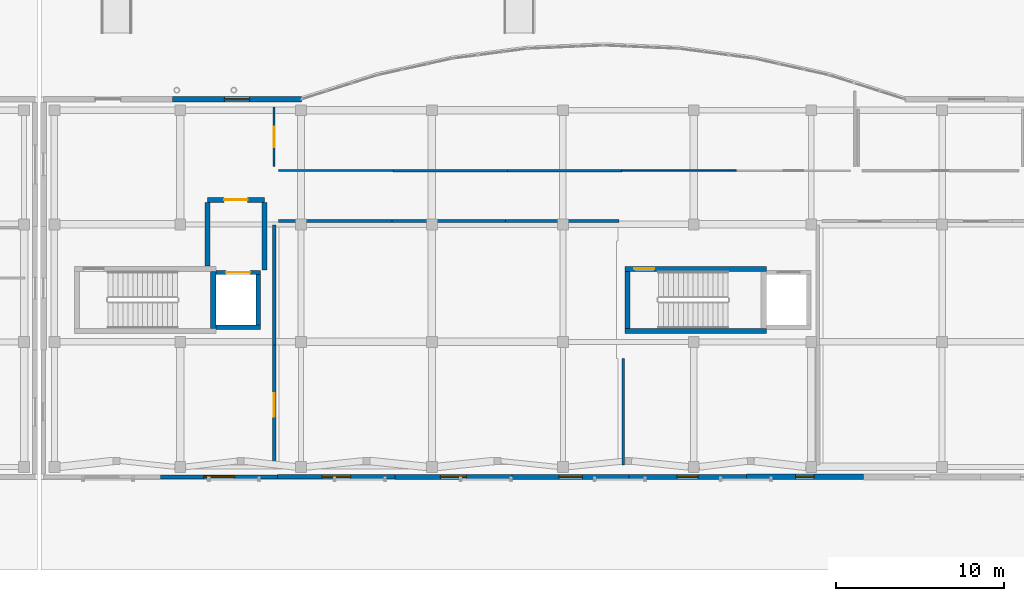
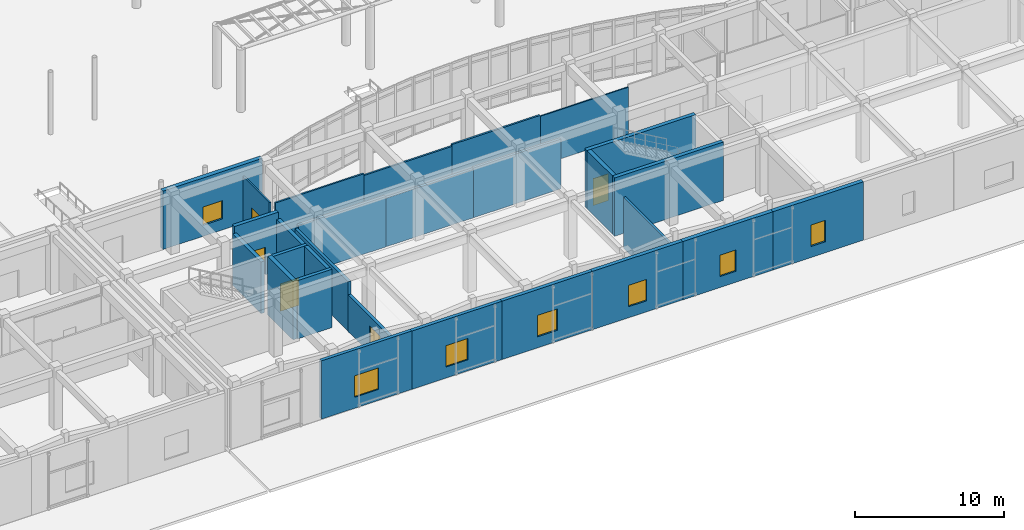
# One storey, part 98 of 121: 28 walls, 7 windows, 5 doors, 12 openings.
"""IFC4 building model written with IfcOpenShell, lengths in metres."""

import ifcopenshell
import ifcopenshell.guid

model = None  # the IFC model being written
_history = None  # IfcOwnerHistory: only IFC2X3 demands one
_inside = {}  # id of a spatial element -> (the spatial element, [elements in it])
_under = {}  # id of a project, library or spatial element -> (it, [spatial elements below it])
_declared = {}  # id of a project -> (the project, [libraries it declares])
_typed = {}  # id of a type object -> (the type object, [elements of that type])
_made_of = {}  # id of a material, layer set ... -> (it, [elements and type objects made of it])


def new_model(schema):
    """Start an empty IFC model of exactly this schema.

    Asked for "IFC4X3", IfcOpenShell would pick the latest addendum, in which some entities
    have other attributes; the version numbers below select the first issue.
    IFC2X3 requires an IfcOwnerHistory on every rooted entity: one is made here for all.
    """
    global model, _history
    if schema == "IFC4X3":
        model = ifcopenshell.file(schema_version=(4, 3, 0, 0))
    else:
        model = ifcopenshell.file(schema=schema)
    _inside.clear()
    _under.clear()
    _declared.clear()
    _typed.clear()
    _made_of.clear()
    _history = None
    if model.schema == "IFC2X3":
        org = make("IfcOrganization", Name="unknown")
        user = make(
            "IfcPersonAndOrganization",
            ThePerson=make("IfcPerson", FamilyName="unknown"),
            TheOrganization=org,
        )
        app = make(
            "IfcApplication",
            ApplicationDeveloper=org,
            Version="unknown",
            ApplicationFullName="unknown",
            ApplicationIdentifier="unknown",
        )
        _history = make(
            "IfcOwnerHistory",
            OwningUser=user,
            OwningApplication=app,
            ChangeAction="ADDED",
            CreationDate=0,
        )
    return model


def make(cls, **values):
    """One entity of the class cls with the attributes given. An attribute that is None is left unset."""
    return model.create_entity(
        cls, **{name: value for name, value in values.items() if value is not None}
    )


def rooted(cls, **values):
    """An entity with a GlobalId (a new one), such as an element, a storey or a relation."""
    return make(cls, GlobalId=ifcopenshell.guid.new(), OwnerHistory=_history, **values)


def si_unit(unit_type, name, prefix=None):
    """IfcSIUnit, for example si_unit("LENGTHUNIT", "METRE", prefix="MILLI")."""
    return make("IfcSIUnit", UnitType=unit_type, Prefix=prefix, Name=name)


def assignment(units):
    """IfcUnitAssignment: the units of a project."""
    return None if units is None else make("IfcUnitAssignment", Units=units)


def point(xyz):
    """IfcCartesianPoint."""
    return None if xyz is None else make("IfcCartesianPoint", Coordinates=xyz)


def direction(xyz):
    """IfcDirection."""
    return None if xyz is None else make("IfcDirection", DirectionRatios=xyz)


def frame(location, z_axis=None, x_axis=None):
    """IfcAxis2Placement3D, a coordinate frame: its origin and axes. An axis left out is left unset."""
    return make(
        "IfcAxis2Placement3D",
        Location=point(location),
        Axis=direction(z_axis),
        RefDirection=direction(x_axis),
    )


def frame_2d(location, x_axis=None):
    """IfcAxis2Placement2D, a coordinate frame in the plane: its origin and x axis."""
    return make(
        "IfcAxis2Placement2D", Location=point(location), RefDirection=direction(x_axis)
    )


def origin():
    """The frame at (0, 0, 0) with its axes left unset."""
    return frame((0.0, 0.0, 0.0))


def place(relative_to, where):
    """IfcLocalPlacement: puts the frame where relative to a parent placement (None: the world)."""
    return make(
        "IfcLocalPlacement", PlacementRelTo=relative_to, RelativePlacement=where
    )


def context(
    kind, dimensions, precision=None, world=None, true_north=None, identifier=None
):
    """IfcGeometricRepresentationContext, for example the 3D "Model" context."""
    return make(
        "IfcGeometricRepresentationContext",
        ContextIdentifier=identifier,
        ContextType=kind,
        CoordinateSpaceDimension=dimensions,
        Precision=precision,
        WorldCoordinateSystem=world,
        TrueNorth=true_north,
    )


def subcontext(parent, identifier, kind, view, scale=None):
    """IfcGeometricRepresentationSubContext, for example "Body" below "Model"."""
    return make(
        "IfcGeometricRepresentationSubContext",
        ContextIdentifier=identifier,
        ContextType=kind,
        ParentContext=parent,
        TargetScale=scale,
        TargetView=view,
    )


def project(units=None, contexts=None):
    """IfcProject with its units and contexts."""
    return rooted(
        "IfcProject",
        Name="project",
        RepresentationContexts=contexts,
        UnitsInContext=assignment(units),
    )


def spatial(cls, under=None, at=None, **own):
    """A site, building, storey or space (cls), placed at a placement, below another one or the project."""
    s = rooted(cls, ObjectPlacement=at, **own)
    if under is not None:
        _under.setdefault(under.id(), (under, []))[1].append(s)
    return s


def profile(cls, at=None, kind="AREA", **sizes):
    """A parametric profile (cls). Its sizes go by their IFC names, for example OverallWidth=200.0."""
    return make(cls, ProfileType=kind, Position=at, **sizes)


def rectangle(**sizes):
    """IfcRectangleProfileDef."""
    return profile("IfcRectangleProfileDef", **sizes)


def extrude(swept, where, along, depth):
    """IfcExtrudedAreaSolid: the profile swept, set in the frame where, extruded along a direction by depth."""
    return make(
        "IfcExtrudedAreaSolid",
        SweptArea=swept,
        Position=where,
        ExtrudedDirection=direction(along),
        Depth=depth,
    )


def shape(context_of_items, identifier, shape_type, items):
    """IfcShapeRepresentation: the items that make up one representation, for example the "Body"."""
    return make(
        "IfcShapeRepresentation",
        ContextOfItems=context_of_items,
        RepresentationIdentifier=identifier,
        RepresentationType=shape_type,
        Items=items,
    )


def material(Name=None, Category=None):
    """IfcMaterial."""
    return make("IfcMaterial", Name=Name, Category=Category)


def layer(
    of_material, thickness, ventilated=None, Name=None, Category=None, Priority=None
):
    """IfcMaterialLayer: one layer of a wall or slab, of a material (None: an air gap)."""
    return make(
        "IfcMaterialLayer",
        Material=of_material,
        LayerThickness=thickness,
        IsVentilated=ventilated,
        Name=Name,
        Category=Category,
        Priority=Priority,
    )


def layer_set(layers, Name=None):
    """IfcMaterialLayerSet."""
    return make("IfcMaterialLayerSet", MaterialLayers=layers, LayerSetName=Name)


def made_of(thing, what):
    """Note that an element or type object is made of a material, layer set ...; save() writes the relation."""
    if what is not None:
        _made_of.setdefault(what.id(), (what, []))[1].append(thing)
    return thing


def type_object(cls, material=None, **own):
    """A type object (cls), such as IfcWallType, which elements share."""
    return made_of(rooted(cls, **own), material)


def element(
    cls,
    number,
    at=None,
    inside=None,
    cuts=None,
    type_object=None,
    material=None,
    context=None,
    identifier="Body",
    shape_type=None,
    held_by="IfcProductDefinitionShape",
    body=None,
    shapes=None,
    **own,
):
    """One element of the class cls, such as IfcWall. Its Tag is "e" and its number.

    at: its placement. inside: the storey or other place that contains it. cuts: it is an
    opening in that element (IfcRelVoidsElement). A single representation is given by context,
    identifier, shape_type and body (its items); several are given by shapes. held_by: the class
    of the entity that holds the representations. save() writes the other relations.
    """
    e = rooted(cls, Tag="e%d" % number, ObjectPlacement=at, **own)
    if body is not None:
        shapes = [shape(context, identifier, shape_type, body)]
    if shapes is not None:
        e.Representation = make(held_by, Representations=shapes)
    if inside is not None:
        _inside.setdefault(inside.id(), (inside, []))[1].append(e)
    if cuts is not None:
        rooted(
            "IfcRelVoidsElement", RelatingBuildingElement=cuts, RelatedOpeningElement=e
        )
    if type_object is not None:
        _typed.setdefault(type_object.id(), (type_object, []))[1].append(e)
    return made_of(e, material)


def fill(opening, filler):
    """IfcRelFillsElement: the door or window that sits in an opening."""
    return rooted(
        "IfcRelFillsElement",
        RelatingOpeningElement=opening,
        RelatedBuildingElement=filler,
    )


def aggregate(whole, parts):
    """IfcRelAggregates: a whole, such as a stair, and the parts it consists of."""
    return rooted("IfcRelAggregates", RelatingObject=whole, RelatedObjects=parts)


def save(model, path):
    """Write the relations noted so far, then the file.

    IfcRelAggregates (storeys below a building ...), IfcRelContainedInSpatialStructure (elements
    in a storey), IfcRelDefinesByType, IfcRelAssociatesMaterial and IfcRelDeclares: one each for
    every whole, place, type object, material and project.
    """
    for whole, parts in _under.values():
        aggregate(whole, parts)
    for where, things in _inside.values():
        rooted(
            "IfcRelContainedInSpatialStructure",
            RelatedElements=things,
            RelatingStructure=where,
        )
    for kind, things in _typed.values():
        rooted("IfcRelDefinesByType", RelatedObjects=things, RelatingType=kind)
    for what, things in _made_of.values():
        rooted("IfcRelAssociatesMaterial", RelatedObjects=things, RelatingMaterial=what)
    for by, libraries in _declared.values():
        rooted("IfcRelDeclares", RelatingContext=by, RelatedDefinitions=libraries)
    model.write(path)


model = new_model("IFC4")

# Units and contexts
model_context = context("Model", 3, precision=1e-05, world=origin(), true_north=direction((0.0, 1.0)))
body_context = subcontext(model_context, "Body", "Model", "MODEL_VIEW")
ifc_project = project(units=[si_unit("LENGTHUNIT", "METRE"), si_unit("AREAUNIT", "SQUARE_METRE"), si_unit("VOLUMEUNIT", "CUBIC_METRE"), si_unit("PLANEANGLEUNIT", "RADIAN"), si_unit("MASSUNIT", "GRAM", prefix="KILO")], contexts=[model_context])

# Site, building, storey
site_placement = place(None, origin())
site = spatial("IfcSite", under=ifc_project, at=site_placement, CompositionType="ELEMENT")
building_placement = place(site_placement, origin())
building = spatial("IfcBuilding", under=site, at=building_placement, Name="Valcora Specialist Clinic", CompositionType="ELEMENT")
storey_placement = place(building_placement, origin())
storey = spatial("IfcBuildingStorey", under=building, at=storey_placement, Name="L00", CompositionType="ELEMENT", Elevation=0.0)

# Wall, opening, door
ifc_material_1 = material(Name="Concrete C40/50", Category="concrete")
ifc_layer_1 = layer(ifc_material_1, 0.284912109375)
ifc_layer_set_1 = layer_set([ifc_layer_1], Name="Concrete C40/50")
wall_type_1 = type_object("IfcWallType", Name="TY-WL-CR285", PredefinedType="SHEAR", material=ifc_layer_set_1)
wall_1_placement = place(storey_placement, frame((63.419921875, 16.659912109375, 0.0), z_axis=(0.0, 0.0, 1.0), x_axis=(1.0, 0.0, 0.0)))
wall_1 = element("IfcWall", 1, at=wall_1_placement, inside=storey, type_object=wall_type_1, Name="Firefighting lobby front wall WL-FFL-LF-07-L00-F", PredefinedType="SHEAR", context=body_context, shape_type="SweptSolid", body=[
    extrude(rectangle(XDim=3.400146484375, YDim=0.284912109375, at=frame_2d((1.7001953125, 0.0))), origin(), (0.0, 0.0, 1.0), 4.77001953125),
])
opening_1_placement = place(wall_1_placement, frame((1.0, 0.0, 0.0)))
opening_1 = element("IfcOpeningElement", 2, at=opening_1_placement, cuts=wall_1, Name="Opening DR-FF-140", PredefinedType="OPENING", context=body_context, shape_type="SweptSolid", body=[
    extrude(rectangle(XDim=1.39990234375, YDim=2.25, at=frame_2d((0.699951171875, 1.125))), frame((0.0, 0.15234375, 0.0), z_axis=(0.0, -1.0, 0.0), x_axis=(1.0, 0.0, 0.0)), (0.0, 0.0, 1.0), 0.304931640625),
])
ifc_material_2 = material(Name="Galvanized Hollow Metal Door Steel ASTM A653", Category="steel")
door_type_1 = type_object("IfcDoorType", Name="TY-DR-FF140", OperationType="NOTDEFINED", PredefinedType="DOOR", material=ifc_material_2)
door_1_placement = place(opening_1_placement, origin())
door_1 = element("IfcDoor", 3, at=door_1_placement, inside=storey, type_object=door_type_1, Name="Firefighting lobby fire door LF-07 L00", OperationType="SINGLE_SWING_RIGHT", OverallHeight=2.25, OverallWidth=1.39990234375, PredefinedType="DOOR", context=body_context, shape_type="SweptSolid", body=[
    extrude(rectangle(XDim=1.39990234375, YDim=2.25, at=frame_2d((0.699951171875, 1.125))), frame((0.0, 0.02490234375, 0.0), z_axis=(0.0, -1.0, 0.0), x_axis=(1.0, 0.0, 0.0)), (0.0, 0.0, 1.0), 0.050048828125),
])
fill(opening_1, door_1)

# Walls
wall_2_placement = place(storey_placement, frame((63.419921875, 12.719970703125, 0.0), z_axis=(0.0, 0.0, 1.0), x_axis=(0.0, 1.0, 0.0)))
element("IfcWall", 4, at=wall_2_placement, inside=storey, type_object=wall_type_1, Name="Firefighting lobby west wall", PredefinedType="SHEAR", context=body_context, shape_type="SweptSolid", body=[
    extrude(rectangle(XDim=3.7900390625, YDim=0.284912109375, at=frame_2d((1.89501953125, 0.0))), origin(), (0.0, 0.0, 1.0), 4.219970703125),
])
wall_3_placement = place(storey_placement, frame((66.820068359375, 12.47998046875, 0.0), z_axis=(0.0, 0.0, 1.0), x_axis=(0.0, 1.0, 0.0)))
element("IfcWall", 5, at=wall_3_placement, inside=storey, type_object=wall_type_1, Name="Firefighting lobby east wall", PredefinedType="SHEAR", context=body_context, shape_type="SweptSolid", body=[
    extrude(rectangle(XDim=4.030029296875, YDim=0.284912109375, at=frame_2d((2.01513671875, 0.0))), origin(), (0.0, 0.0, 1.0), 4.219970703125),
])
ifc_layer_2 = layer(ifc_material_1, 0.300048828125)
ifc_layer_set_2 = layer_set([ifc_layer_2], Name="Concrete C40/50")
wall_type_2 = type_object("IfcWallType", Name="TY-WL-CR300", PredefinedType="SHEAR", material=ifc_layer_set_2)
wall_4_placement = place(storey_placement, frame((88.300048828125, 8.85009765625, 0.0), z_axis=(0.0, 0.0, 1.0), x_axis=(1.0, 0.0, 0.0)))
element("IfcWall", 6, at=wall_4_placement, inside=storey, type_object=wall_type_2, Name="Core shear wall WL-CR-C-V6B-L00-S", PredefinedType="SHEAR", context=body_context, shape_type="SweptSolid", body=[
    extrude(rectangle(XDim=8.419921875, YDim=0.300048828125, at=frame_2d((4.2099609375, 0.0))), origin(), (0.0, 0.0, 1.0), 4.77001953125),
])

# Wall, opening, door
wall_5_placement = place(storey_placement, frame((88.300048828125, 12.550048828125, 0.0), z_axis=(0.0, 0.0, 1.0), x_axis=(1.0, 0.0, 0.0)))
wall_5 = element("IfcWall", 7, at=wall_5_placement, inside=storey, type_object=wall_type_2, Name="Core shear wall WL-CR-C-V6B-L00-N", PredefinedType="SHEAR", context=body_context, shape_type="SweptSolid", body=[
    extrude(rectangle(XDim=8.419921875, YDim=0.300048828125, at=frame_2d((4.2099609375, 0.0))), origin(), (0.0, 0.0, 1.0), 4.77001953125),
])
opening_2_placement = place(wall_5_placement, frame((0.550048828125, 0.0, 0.0)))
opening_2 = element("IfcOpeningElement", 8, at=opening_2_placement, cuts=wall_5, Name="Opening DR-FD-120", PredefinedType="OPENING", context=body_context, shape_type="SweptSolid", body=[
    extrude(rectangle(XDim=1.199951171875, YDim=2.199951171875, at=frame_2d((0.60009765625, 1.10009765625))), frame((0.0, 0.159912109375, 0.0), z_axis=(0.0, -1.0, 0.0), x_axis=(1.0, 0.0, 0.0)), (0.0, 0.0, 1.0), 0.320068359375),
])
door_type_2 = type_object("IfcDoorType", Name="TY-DR-ST120", OperationType="NOTDEFINED", PredefinedType="DOOR", material=ifc_material_2)
door_2_placement = place(opening_2_placement, origin())
door_2 = element("IfcDoor", 9, at=door_2_placement, inside=storey, type_object=door_type_2, Name="Exit stair fire door C-V6B L00", OperationType="SINGLE_SWING_RIGHT", OverallHeight=2.199951171875, OverallWidth=1.199951171875, PredefinedType="DOOR", context=body_context, shape_type="SweptSolid", body=[
    extrude(rectangle(XDim=1.199951171875, YDim=2.199951171875, at=frame_2d((0.60009765625, 1.10009765625))), frame((0.0, 0.02490234375, 0.0), z_axis=(0.0, -1.0, 0.0), x_axis=(1.0, 0.0, 0.0)), (0.0, 0.0, 1.0), 0.050048828125),
])
fill(opening_2, door_2)

# Walls
wall_6_placement = place(storey_placement, frame((88.449951171875, 9.001953125, 0.0), z_axis=(0.0, 0.0, 1.0), x_axis=(0.0, 1.0, 0.0)))
element("IfcWall", 10, at=wall_6_placement, inside=storey, type_object=wall_type_2, Name="Core shear wall WL-CR-C-V6B-L00-W", PredefinedType="SHEAR", context=body_context, shape_type="SweptSolid", body=[
    extrude(rectangle(XDim=3.39599609375, YDim=0.300048828125, at=frame_2d((1.697998046875, 0.0))), origin(), (0.0, 0.0, 1.0), 4.77001953125),
])
ifc_layer_3 = layer(ifc_material_1, 0.320068359375)
ifc_layer_set_3 = layer_set([ifc_layer_3], Name="Concrete C40/50")
wall_type_3 = type_object("IfcWallType", Name="TY-WL-CR320", PredefinedType="SHEAR", material=ifc_layer_set_3)
wall_7_placement = place(storey_placement, frame((63.760009765625, 9.001953125, 0.0), z_axis=(0.0, 0.0, 1.0), x_axis=(0.0, 1.0, 0.0)))
element("IfcWall", 11, at=wall_7_placement, inside=storey, type_object=wall_type_3, Name="Core shear wall WL-CR-C-V6A-L00-E", PredefinedType="SHEAR", context=body_context, shape_type="SweptSolid", body=[
    extrude(rectangle(XDim=3.39599609375, YDim=0.320068359375, at=frame_2d((1.697998046875, 0.0))), origin(), (0.0, 0.0, 1.0), 4.77001953125),
])

# Wall, opening, window
ifc_material_3 = material(Name="Extruded Jalisco Clay Brick Masonry", Category="masonry")
ifc_layer_4 = layer(ifc_material_3, 0.25)
ifc_layer_set_4 = layer_set([ifc_layer_4], Name="Extruded Jalisco Clay Brick Masonry")
wall_type_4 = type_object("IfcWallType", Name="TY-WL-EW250", PredefinedType="SOLIDWALL", material=ifc_layer_set_4)
wall_8_placement = place(storey_placement, frame((67.610107421875, 0.14990234375, 0.0), z_axis=(0.0, 0.0, 1.0), x_axis=(-1.0, 0.0, 0.0)))
wall_8 = element("IfcWall", 12, at=wall_8_placement, inside=storey, type_object=wall_type_4, Name="Exterior wall WL-EXT-L00-0319", PredefinedType="SOLIDWALL", context=body_context, shape_type="SweptSolid", body=[
    extrude(rectangle(XDim=6.980224609375, YDim=0.25, at=frame_2d((3.490234375, 0.0))), origin(), (0.0, 0.0, 1.0), 4.77001953125),
])
opening_3_placement = place(wall_8_placement, frame((2.56494140625, 0.0, 0.89990234375)))
opening_3 = element("IfcOpeningElement", 13, at=opening_3_placement, cuts=wall_8, Name="Opening WN-17", PredefinedType="OPENING", context=body_context, shape_type="SweptSolid", body=[
    extrude(rectangle(XDim=1.85009765625, YDim=1.75, at=frame_2d((0.925048828125, 0.875))), frame((0.0, 0.135009765625, 0.0), z_axis=(0.0, -1.0, 0.0), x_axis=(1.0, 0.0, 0.0)), (0.0, 0.0, 1.0), 0.27001953125),
])
ifc_material_4 = material(Name="Low-E Laminated Insulating Glass", Category="glass")
window_type_1 = type_object("IfcWindowType", Name="TY-WN-17", PartitioningType="SINGLE_PANEL", PredefinedType="WINDOW", material=ifc_material_4)
window_1_placement = place(opening_3_placement, origin())
window_1 = element("IfcWindow", 14, at=window_1_placement, inside=storey, type_object=window_type_1, Name="Facade window WN-L00-0269", OverallHeight=1.75, OverallWidth=1.85009765625, PartitioningType="SINGLE_PANEL", PredefinedType="WINDOW", context=body_context, shape_type="SweptSolid", body=[
    extrude(rectangle(XDim=1.85009765625, YDim=1.75, at=frame_2d((0.925048828125, 0.875))), frame((0.0, 0.030029296875, 0.0), z_axis=(0.0, -1.0, 0.0), x_axis=(1.0, 0.0, 0.0)), (0.0, 0.0, 1.0), 0.06005859375),
])
fill(opening_3, window_1)

ifc_layer_5 = layer(ifc_material_3, 0.264892578125)
ifc_layer_set_5 = layer_set([ifc_layer_5], Name="Extruded Jalisco Clay Brick Masonry")
wall_type_5 = type_object("IfcWallType", Name="TY-WL-EW265", PredefinedType="SOLIDWALL", material=ifc_layer_set_5)
wall_9_placement = place(storey_placement, frame((74.590087890625, 0.14990234375, 0.0), z_axis=(0.0, 0.0, 1.0), x_axis=(-1.0, 0.0, 0.0)))
wall_9 = element("IfcWall", 15, at=wall_9_placement, inside=storey, type_object=wall_type_5, Name="Exterior wall WL-EXT-L00-0318", PredefinedType="SOLIDWALL", context=body_context, shape_type="SweptSolid", body=[
    extrude(rectangle(XDim=6.97998046875, YDim=0.264892578125, at=frame_2d((3.489990234375, 0.0))), origin(), (0.0, 0.0, 1.0), 4.77001953125),
])
opening_4_placement = place(wall_9_placement, frame((2.639892578125, 0.0, 0.89990234375)))
opening_4 = element("IfcOpeningElement", 16, at=opening_4_placement, cuts=wall_9, Name="Opening WN-16", PredefinedType="OPENING", context=body_context, shape_type="SweptSolid", body=[
    extrude(rectangle(XDim=1.699951171875, YDim=1.75, at=frame_2d((0.85009765625, 0.875))), frame((0.0, 0.142333984375, 0.0), z_axis=(0.0, -1.0, 0.0), x_axis=(1.0, 0.0, 0.0)), (0.0, 0.0, 1.0), 0.284912109375),
])
window_type_2 = type_object("IfcWindowType", Name="TY-WN-16", PartitioningType="SINGLE_PANEL", PredefinedType="WINDOW", material=ifc_material_4)
window_2_placement = place(opening_4_placement, origin())
window_2 = element("IfcWindow", 17, at=window_2_placement, inside=storey, type_object=window_type_2, Name="Facade window WN-L00-0268", OverallHeight=1.75, OverallWidth=1.699951171875, PartitioningType="SINGLE_PANEL", PredefinedType="WINDOW", context=body_context, shape_type="SweptSolid", body=[
    extrude(rectangle(XDim=1.699951171875, YDim=1.75, at=frame_2d((0.85009765625, 0.875))), frame((0.0, 0.030029296875, 0.0), z_axis=(0.0, -1.0, 0.0), x_axis=(1.0, 0.0, 0.0)), (0.0, 0.0, 1.0), 0.06005859375),
])
fill(opening_4, window_2)

ifc_layer_6 = layer(ifc_material_3, 0.280029296875)
ifc_layer_set_6 = layer_set([ifc_layer_6], Name="Extruded Jalisco Clay Brick Masonry")
wall_type_6 = type_object("IfcWallType", Name="TY-WL-EW280", PredefinedType="SOLIDWALL", material=ifc_layer_set_6)
wall_10_placement = place(storey_placement, frame((81.570068359375, 0.14990234375, 0.0), z_axis=(0.0, 0.0, 1.0), x_axis=(-1.0, 0.0, 0.0)))
wall_10 = element("IfcWall", 18, at=wall_10_placement, inside=storey, type_object=wall_type_6, Name="Exterior wall WL-EXT-L00-0317", PredefinedType="SOLIDWALL", context=body_context, shape_type="SweptSolid", body=[
    extrude(rectangle(XDim=6.97998046875, YDim=0.280029296875, at=frame_2d((3.489990234375, 0.0))), origin(), (0.0, 0.0, 1.0), 4.77001953125),
])
opening_5_placement = place(wall_10_placement, frame((2.715087890625, 0.0, 0.89990234375)))
opening_5 = element("IfcOpeningElement", 19, at=opening_5_placement, cuts=wall_10, Name="Opening WN-15", PredefinedType="OPENING", context=body_context, shape_type="SweptSolid", body=[
    extrude(rectangle(XDim=1.550048828125, YDim=1.75, at=frame_2d((0.77490234375, 0.875))), frame((0.0, 0.14990234375, 0.0), z_axis=(0.0, -1.0, 0.0), x_axis=(1.0, 0.0, 0.0)), (0.0, 0.0, 1.0), 0.300048828125),
])
window_type_3 = type_object("IfcWindowType", Name="TY-WN-15", PartitioningType="SINGLE_PANEL", PredefinedType="WINDOW", material=ifc_material_4)
window_3_placement = place(opening_5_placement, origin())
window_3 = element("IfcWindow", 20, at=window_3_placement, inside=storey, type_object=window_type_3, Name="Facade window WN-L00-0267", OverallHeight=1.75, OverallWidth=1.550048828125, PartitioningType="SINGLE_PANEL", PredefinedType="WINDOW", context=body_context, shape_type="SweptSolid", body=[
    extrude(rectangle(XDim=1.550048828125, YDim=1.75, at=frame_2d((0.77490234375, 0.875))), frame((0.0, 0.030029296875, 0.0), z_axis=(0.0, -1.0, 0.0), x_axis=(1.0, 0.0, 0.0)), (0.0, 0.0, 1.0), 0.06005859375),
])
fill(opening_5, window_3)

ifc_layer_7 = layer(ifc_material_3, 0.294921875)
ifc_layer_set_7 = layer_set([ifc_layer_7], Name="Extruded Jalisco Clay Brick Masonry")
wall_type_7 = type_object("IfcWallType", Name="TY-WL-EW295", PredefinedType="SOLIDWALL", material=ifc_layer_set_7)
wall_11_placement = place(storey_placement, frame((88.550048828125, 0.14990234375, 0.0), z_axis=(0.0, 0.0, 1.0), x_axis=(-1.0, 0.0, 0.0)))
wall_11 = element("IfcWall", 21, at=wall_11_placement, inside=storey, type_object=wall_type_7, Name="Exterior wall WL-EXT-L00-0316", PredefinedType="SOLIDWALL", context=body_context, shape_type="SweptSolid", body=[
    extrude(rectangle(XDim=6.97998046875, YDim=0.294921875, at=frame_2d((3.489990234375, 0.0))), origin(), (0.0, 0.0, 1.0), 4.77001953125),
])
opening_6_placement = place(wall_11_placement, frame((2.7900390625, 0.0, 0.89990234375)))
opening_6 = element("IfcOpeningElement", 22, at=opening_6_placement, cuts=wall_11, Name="Opening WN-14", PredefinedType="OPENING", context=body_context, shape_type="SweptSolid", body=[
    extrude(rectangle(XDim=1.39990234375, YDim=1.75, at=frame_2d((0.699951171875, 0.875))), frame((0.0, 0.157470703125, 0.0), z_axis=(0.0, -1.0, 0.0), x_axis=(1.0, 0.0, 0.0)), (0.0, 0.0, 1.0), 0.31494140625),
])
window_type_4 = type_object("IfcWindowType", Name="TY-WN-14", PartitioningType="SINGLE_PANEL", PredefinedType="WINDOW", material=ifc_material_4)
window_4_placement = place(opening_6_placement, origin())
window_4 = element("IfcWindow", 23, at=window_4_placement, inside=storey, type_object=window_type_4, Name="Facade window WN-L00-0266", OverallHeight=1.75, OverallWidth=1.39990234375, PartitioningType="SINGLE_PANEL", PredefinedType="WINDOW", context=body_context, shape_type="SweptSolid", body=[
    extrude(rectangle(XDim=1.39990234375, YDim=1.75, at=frame_2d((0.699951171875, 0.875))), frame((0.0, 0.030029296875, 0.0), z_axis=(0.0, -1.0, 0.0), x_axis=(1.0, 0.0, 0.0)), (0.0, 0.0, 1.0), 0.06005859375),
])
fill(opening_6, window_4)

ifc_layer_8 = layer(ifc_material_3, 0.31005859375)
ifc_layer_set_8 = layer_set([ifc_layer_8], Name="Extruded Jalisco Clay Brick Masonry")
wall_type_8 = type_object("IfcWallType", Name="TY-WL-EW310", PredefinedType="SOLIDWALL", material=ifc_layer_set_8)
wall_12_placement = place(storey_placement, frame((95.530029296875, 0.14990234375, 0.0), z_axis=(0.0, 0.0, 1.0), x_axis=(-1.0, 0.0, 0.0)))
wall_12 = element("IfcWall", 24, at=wall_12_placement, inside=storey, type_object=wall_type_8, Name="Exterior wall WL-EXT-L00-0315", PredefinedType="SOLIDWALL", context=body_context, shape_type="SweptSolid", body=[
    extrude(rectangle(XDim=6.97998046875, YDim=0.31005859375, at=frame_2d((3.489990234375, 0.0))), origin(), (0.0, 0.0, 1.0), 4.77001953125),
])
opening_7_placement = place(wall_12_placement, frame((2.864990234375, 0.0, 0.89990234375)))
opening_7 = element("IfcOpeningElement", 25, at=opening_7_placement, cuts=wall_12, Name="Opening WN-13", PredefinedType="OPENING", context=body_context, shape_type="SweptSolid", body=[
    extrude(rectangle(XDim=1.25, YDim=1.75, at=frame_2d((0.625, 0.875))), frame((0.0, 0.1650390625, 0.0), z_axis=(0.0, -1.0, 0.0), x_axis=(1.0, 0.0, 0.0)), (0.0, 0.0, 1.0), 0.330078125),
])
window_type_5 = type_object("IfcWindowType", Name="TY-WN-13", PartitioningType="SINGLE_PANEL", PredefinedType="WINDOW", material=ifc_material_4)
window_5_placement = place(opening_7_placement, origin())
window_5 = element("IfcWindow", 26, at=window_5_placement, inside=storey, type_object=window_type_5, Name="Facade window WN-L00-0265", OverallHeight=1.75, OverallWidth=1.25, PartitioningType="SINGLE_PANEL", PredefinedType="WINDOW", context=body_context, shape_type="SweptSolid", body=[
    extrude(rectangle(XDim=1.25, YDim=1.75, at=frame_2d((0.625, 0.875))), frame((0.0, 0.030029296875, 0.0), z_axis=(0.0, -1.0, 0.0), x_axis=(1.0, 0.0, 0.0)), (0.0, 0.0, 1.0), 0.06005859375),
])
fill(opening_7, window_5)

ifc_layer_9 = layer(ifc_material_3, 0.324951171875)
ifc_layer_set_9 = layer_set([ifc_layer_9], Name="Extruded Jalisco Clay Brick Masonry")
wall_type_9 = type_object("IfcWallType", Name="TY-WL-EW325", PredefinedType="SOLIDWALL", material=ifc_layer_set_9)
wall_13_placement = place(storey_placement, frame((61.336669921875, 22.64990234375, 0.0), z_axis=(0.0, 0.0, 1.0), x_axis=(1.0, 0.0, 0.0)))
wall_13 = element("IfcWall", 27, at=wall_13_placement, inside=storey, type_object=wall_type_9, Name="Exterior wall WL-EXT-L00-0304", PredefinedType="SOLIDWALL", context=body_context, shape_type="SweptSolid", body=[
    extrude(rectangle(XDim=7.6865234375, YDim=0.324951171875, at=frame_2d((3.84326171875, 0.0))), origin(), (0.0, 0.0, 1.0), 4.77001953125),
])
opening_8_placement = place(wall_13_placement, frame((3.093017578125, 0.0, 0.89990234375)))
opening_8 = element("IfcOpeningElement", 28, at=opening_8_placement, cuts=wall_13, Name="Opening WN-05", PredefinedType="OPENING", context=body_context, shape_type="SweptSolid", body=[
    extrude(rectangle(XDim=1.5, YDim=1.5, at=frame_2d((0.75, 0.75))), frame((0.0, 0.17236328125, 0.0), z_axis=(0.0, -1.0, 0.0), x_axis=(1.0, 0.0, 0.0)), (0.0, 0.0, 1.0), 0.344970703125),
])
window_type_6 = type_object("IfcWindowType", Name="TY-WN-05", PartitioningType="SINGLE_PANEL", PredefinedType="WINDOW", material=ifc_material_4)
window_6_placement = place(opening_8_placement, origin())
window_6 = element("IfcWindow", 29, at=window_6_placement, inside=storey, type_object=window_type_6, Name="Facade window WN-L00-0257", OverallHeight=1.5, OverallWidth=1.5, PartitioningType="SINGLE_PANEL", PredefinedType="WINDOW", context=body_context, shape_type="SweptSolid", body=[
    extrude(rectangle(XDim=1.5, YDim=1.5, at=frame_2d((0.75, 0.75))), frame((0.0, 0.030029296875, 0.0), z_axis=(0.0, -1.0, 0.0), x_axis=(1.0, 0.0, 0.0)), (0.0, 0.0, 1.0), 0.06005859375),
])
fill(opening_8, window_6)

wall_14_placement = place(storey_placement, frame((102.510009765625, 0.14990234375, 0.0), z_axis=(0.0, 0.0, 1.0), x_axis=(-1.0, 0.0, 0.0)))
wall_14 = element("IfcWall", 30, at=wall_14_placement, inside=storey, type_object=wall_type_9, Name="Exterior wall WL-EXT-L00-0314", PredefinedType="SOLIDWALL", context=body_context, shape_type="SweptSolid", body=[
    extrude(rectangle(XDim=6.97998046875, YDim=0.324951171875, at=frame_2d((3.489990234375, 0.0))), origin(), (0.0, 0.0, 1.0), 4.77001953125),
])
opening_9_placement = place(wall_14_placement, frame((2.93994140625, 0.0, 0.89990234375)))
opening_9 = element("IfcOpeningElement", 31, at=opening_9_placement, cuts=wall_14, Name="Opening WN-12", PredefinedType="OPENING", context=body_context, shape_type="SweptSolid", body=[
    extrude(rectangle(XDim=1.10009765625, YDim=1.75, at=frame_2d((0.550048828125, 0.875))), frame((0.0, 0.17236328125, 0.0), z_axis=(0.0, -1.0, 0.0), x_axis=(1.0, 0.0, 0.0)), (0.0, 0.0, 1.0), 0.344970703125),
])
window_type_7 = type_object("IfcWindowType", Name="TY-WN-12", PartitioningType="SINGLE_PANEL", PredefinedType="WINDOW", material=ifc_material_4)
window_7_placement = place(opening_9_placement, origin())
window_7 = element("IfcWindow", 32, at=window_7_placement, inside=storey, type_object=window_type_7, Name="Facade window WN-L00-0264", OverallHeight=1.75, OverallWidth=1.10009765625, PartitioningType="SINGLE_PANEL", PredefinedType="WINDOW", context=body_context, shape_type="SweptSolid", body=[
    extrude(rectangle(XDim=1.10009765625, YDim=1.75, at=frame_2d((0.550048828125, 0.875))), frame((0.0, 0.030029296875, 0.0), z_axis=(0.0, -1.0, 0.0), x_axis=(1.0, 0.0, 0.0)), (0.0, 0.0, 1.0), 0.06005859375),
])
fill(opening_9, window_7)

# Wall
ifc_material_5 = material(Name="Gypsum Board Partition Assembly")
ifc_layer_10 = layer(ifc_material_5, 0.094970703125)
ifc_layer_set_10 = layer_set([ifc_layer_10], Name="Gypsum Board Partition Assembly")
wall_type_10 = type_object("IfcWallType", Name="TY-WL-PT095", PredefinedType="PARTITIONING", material=ifc_layer_set_10)
wall_15_placement = place(storey_placement, frame((94.929931640625, 18.39990234375, 0.0), z_axis=(0.0, 0.0, 1.0), x_axis=(-1.0, 0.0, 0.0)))
element("IfcWall", 33, at=wall_15_placement, inside=storey, type_object=wall_type_10, Name="Interior partition WL-INT-L00-0137", PredefinedType="PARTITIONING", context=body_context, shape_type="SweptSolid", body=[
    extrude(rectangle(XDim=6.81982421875, YDim=0.094970703125, at=frame_2d((3.409912109375, 0.0))), origin(), (0.0, 0.0, 1.0), 4.02001953125),
])

# Wall, opening, door
ifc_layer_11 = layer(ifc_material_5, 0.125)
ifc_layer_set_11 = layer_set([ifc_layer_11], Name="Gypsum Board Partition Assembly")
wall_type_11 = type_object("IfcWallType", Name="TY-WL-PT125", PredefinedType="PARTITIONING", material=ifc_layer_set_11)
wall_16_placement = place(storey_placement, frame((67.39990234375, 18.64990234375, 0.0), z_axis=(0.0, 0.0, 1.0), x_axis=(0.0, 1.0, 0.0)))
wall_16 = element("IfcWall", 34, at=wall_16_placement, inside=storey, type_object=wall_type_11, Name="Interior partition WL-INT-L00-0134", PredefinedType="PARTITIONING", context=body_context, shape_type="SweptSolid", body=[
    extrude(rectangle(XDim=3.5400390625, YDim=0.125, at=frame_2d((1.77001953125, 0.0))), origin(), (0.0, 0.0, 1.0), 4.070068359375),
])
opening_10_placement = place(wall_16_placement, frame((1.159912109375, 0.0, 0.0)))
opening_10 = element("IfcOpeningElement", 35, at=opening_10_placement, cuts=wall_16, Name="Opening DR-CN-122", PredefinedType="OPENING", context=body_context, shape_type="SweptSolid", body=[
    extrude(rectangle(XDim=1.219970703125, YDim=2.199951171875, at=frame_2d((0.60986328125, 1.10009765625))), frame((0.0, 0.072509765625, 0.0), z_axis=(0.0, -1.0, 0.0), x_axis=(1.0, 0.0, 0.0)), (0.0, 0.0, 1.0), 0.14501953125),
])
ifc_material_6 = material(Name="Glulam Conifer Class 24F", Category="wood")
door_type_3 = type_object("IfcDoorType", Name="TY-DR-CN122", OperationType="NOTDEFINED", PredefinedType="DOOR", material=ifc_material_6)
door_3_placement = place(opening_10_placement, origin())
door_3 = element("IfcDoor", 36, at=door_3_placement, inside=storey, type_object=door_type_3, Name="Interior door DR-INT-L00-0036", OperationType="SINGLE_SWING_RIGHT", OverallHeight=2.199951171875, OverallWidth=1.219970703125, PredefinedType="DOOR", context=body_context, shape_type="SweptSolid", body=[
    extrude(rectangle(XDim=1.219970703125, YDim=2.199951171875, at=frame_2d((0.60986328125, 1.10009765625))), frame((0.0, 0.02490234375, 0.0), z_axis=(0.0, -1.0, 0.0), x_axis=(1.0, 0.0, 0.0)), (0.0, 0.0, 1.0), 0.050048828125),
])
fill(opening_10, door_3)

# Walls
wall_17_placement = place(storey_placement, frame((74.469970703125, 18.39990234375, 0.0), z_axis=(0.0, 0.0, 1.0), x_axis=(-1.0, 0.0, 0.0)))
element("IfcWall", 37, at=wall_17_placement, inside=storey, type_object=wall_type_11, Name="Interior partition WL-INT-L00-0140", PredefinedType="PARTITIONING", context=body_context, shape_type="SweptSolid", body=[
    extrude(rectangle(XDim=6.820068359375, YDim=0.125, at=frame_2d((3.41015625, 0.0))), origin(), (0.0, 0.0, 1.0), 4.1201171875),
])
ifc_layer_12 = layer(ifc_material_5, 0.135009765625)
ifc_layer_set_12 = layer_set([ifc_layer_12], Name="Gypsum Board Partition Assembly")
wall_type_12 = type_object("IfcWallType", Name="TY-WL-PT135", PredefinedType="PARTITIONING", material=ifc_layer_set_12)
wall_18_placement = place(storey_placement, frame((81.2900390625, 18.39990234375, 0.0), z_axis=(0.0, 0.0, 1.0), x_axis=(-1.0, 0.0, 0.0)))
element("IfcWall", 38, at=wall_18_placement, inside=storey, type_object=wall_type_12, Name="Interior partition WL-INT-L00-0139", PredefinedType="PARTITIONING", context=body_context, shape_type="SweptSolid", body=[
    extrude(rectangle(XDim=6.820068359375, YDim=0.135009765625, at=frame_2d((3.41015625, 0.0))), origin(), (0.0, 0.0, 1.0), 3.969970703125),
])
ifc_layer_13 = layer(ifc_material_5, 0.14501953125)
ifc_layer_set_13 = layer_set([ifc_layer_13], Name="Gypsum Board Partition Assembly")
wall_type_13 = type_object("IfcWallType", Name="TY-WL-PT145", PredefinedType="PARTITIONING", material=ifc_layer_set_13)
wall_19_placement = place(storey_placement, frame((88.110107421875, 18.39990234375, 0.0), z_axis=(0.0, 0.0, 1.0), x_axis=(-1.0, 0.0, 0.0)))
element("IfcWall", 39, at=wall_19_placement, inside=storey, type_object=wall_type_13, Name="Interior partition WL-INT-L00-0138", PredefinedType="PARTITIONING", context=body_context, shape_type="SweptSolid", body=[
    extrude(rectangle(XDim=6.820068359375, YDim=0.14501953125, at=frame_2d((3.41015625, 0.0))), origin(), (0.0, 0.0, 1.0), 4.1201171875),
])
ifc_layer_14 = layer(ifc_material_5, 0.175048828125)
ifc_layer_set_14 = layer_set([ifc_layer_14], Name="Gypsum Board Partition Assembly")
wall_type_14 = type_object("IfcWallType", Name="TY-WL-PT175", PredefinedType="PARTITIONING", material=ifc_layer_set_14)
wall_20_placement = place(storey_placement, frame((88.199951171875, 7.199951171875, 0.0), z_axis=(0.0, 0.0, 1.0), x_axis=(0.0, -1.0, 0.0)))
element("IfcWall", 40, at=wall_20_placement, inside=storey, type_object=wall_type_14, Name="Interior partition WL-INT-L00-0133", PredefinedType="PARTITIONING", context=body_context, shape_type="SweptSolid", body=[
    extrude(rectangle(XDim=6.349853515625, YDim=0.175048828125, at=frame_2d((3.1748046875, 0.0))), origin(), (0.0, 0.0, 1.0), 4.169921875),
])
ifc_layer_15 = layer(ifc_material_5, 0.18505859375)
ifc_layer_set_15 = layer_set([ifc_layer_15], Name="Gypsum Board Partition Assembly")
wall_type_15 = type_object("IfcWallType", Name="TY-WL-PT185", PredefinedType="PARTITIONING", material=ifc_layer_set_15)
wall_21_placement = place(storey_placement, frame((81.18310546875, 15.39990234375, 0.0), z_axis=(0.0, 0.0, 1.0), x_axis=(1.0, 0.0, 0.0)))
element("IfcWall", 41, at=wall_21_placement, inside=storey, type_object=wall_type_15, Name="Interior partition WL-INT-L00-0132", PredefinedType="PARTITIONING", context=body_context, shape_type="SweptSolid", body=[
    extrude(rectangle(XDim=6.766845703125, YDim=0.18505859375, at=frame_2d((3.38330078125, 0.0))), origin(), (0.0, 0.0, 1.0), 4.070068359375),
])
ifc_layer_16 = layer(ifc_material_5, 0.195068359375)
ifc_layer_set_16 = layer_set([ifc_layer_16], Name="Gypsum Board Partition Assembly")
wall_type_16 = type_object("IfcWallType", Name="TY-WL-PT195", PredefinedType="PARTITIONING", material=ifc_layer_set_16)
wall_22_placement = place(storey_placement, frame((74.4169921875, 15.39990234375, 0.0), z_axis=(0.0, 0.0, 1.0), x_axis=(1.0, 0.0, 0.0)))
element("IfcWall", 42, at=wall_22_placement, inside=storey, type_object=wall_type_16, Name="Interior partition WL-INT-L00-0131", PredefinedType="PARTITIONING", context=body_context, shape_type="SweptSolid", body=[
    extrude(rectangle(XDim=6.76611328125, YDim=0.195068359375, at=frame_2d((3.383056640625, 0.0))), origin(), (0.0, 0.0, 1.0), 3.969970703125),
])
ifc_material_7 = material(Name="Lead-Lined Gypsum Partition Assembly")
ifc_layer_17 = layer(ifc_material_7, 0.205078125)
ifc_layer_set_17 = layer_set([ifc_layer_17], Name="Lead-Lined Gypsum Partition Assembly")
wall_type_17 = type_object("IfcWallType", Name="TY-WL-PT205", PredefinedType="PARTITIONING", material=ifc_layer_set_17)
wall_23_placement = place(storey_placement, frame((67.64990234375, 15.39990234375, 0.0), z_axis=(0.0, 0.0, 1.0), x_axis=(1.0, 0.0, 0.0)))
element("IfcWall", 43, at=wall_23_placement, inside=storey, type_object=wall_type_17, Name="Interior partition WL-INT-L00-0130", PredefinedType="PARTITIONING", context=body_context, shape_type="SweptSolid", body=[
    extrude(rectangle(XDim=6.76708984375, YDim=0.205078125, at=frame_2d((3.383544921875, 0.0))), origin(), (0.0, 0.0, 1.0), 4.1201171875),
])
ifc_layer_18 = layer(ifc_material_7, 0.215087890625)
ifc_layer_set_18 = layer_set([ifc_layer_18], Name="Lead-Lined Gypsum Partition Assembly")
wall_type_18 = type_object("IfcWallType", Name="TY-WL-PT215", PredefinedType="PARTITIONING", material=ifc_layer_set_18)
wall_24_placement = place(storey_placement, frame((67.39990234375, 8.0, 0.0), z_axis=(0.0, 0.0, 1.0), x_axis=(0.0, 1.0, 0.0)))
element("IfcWall", 44, at=wall_24_placement, inside=storey, type_object=wall_type_18, Name="Interior partition WL-INT-L00-0129", PredefinedType="PARTITIONING", context=body_context, shape_type="SweptSolid", body=[
    extrude(rectangle(XDim=7.14990234375, YDim=0.215087890625, at=frame_2d((3.574951171875, 0.0))), origin(), (0.0, 0.0, 1.0), 4.070068359375),
])

# Wall, opening, door
ifc_layer_19 = layer(ifc_material_7, 0.22998046875)
ifc_layer_set_19 = layer_set([ifc_layer_19], Name="Lead-Lined Gypsum Partition Assembly")
wall_type_19 = type_object("IfcWallType", Name="TY-WL-PT230", PredefinedType="PARTITIONING", material=ifc_layer_set_19)
wall_25_placement = place(storey_placement, frame((67.39990234375, 0.85009765625, 0.0), z_axis=(0.0, 0.0, 1.0), x_axis=(0.0, 1.0, 0.0)))
wall_25 = element("IfcWall", 45, at=wall_25_placement, inside=storey, type_object=wall_type_19, Name="Interior partition WL-INT-L00-0128", PredefinedType="PARTITIONING", context=body_context, shape_type="SweptSolid", body=[
    extrude(rectangle(XDim=7.14990234375, YDim=0.22998046875, at=frame_2d((3.574951171875, 0.0))), origin(), (0.0, 0.0, 1.0), 3.0),
])
opening_11_placement = place(wall_25_placement, frame((2.875, 0.0, 0.0)))
opening_11 = element("IfcOpeningElement", 46, at=opening_11_placement, cuts=wall_25, Name="Opening DR-LB-140", PredefinedType="OPENING", context=body_context, shape_type="SweptSolid", body=[
    extrude(rectangle(XDim=1.39990234375, YDim=2.199951171875, at=frame_2d((0.699951171875, 1.10009765625))), frame((0.0, 0.125, 0.0), z_axis=(0.0, -1.0, 0.0), x_axis=(1.0, 0.0, 0.0)), (0.0, 0.0, 1.0), 0.25),
])
ifc_material_8 = material(Name="Anodized Bronze Aluminium 6063-T6", Category="aluminium")
door_type_4 = type_object("IfcDoorType", Name="TY-DR-LB140", OperationType="NOTDEFINED", PredefinedType="DOOR", material=ifc_material_8)
door_4_placement = place(opening_11_placement, origin())
door_4 = element("IfcDoor", 47, at=door_4_placement, inside=storey, type_object=door_type_4, Name="Interior door DR-INT-L00-0035", OperationType="SINGLE_SWING_LEFT", OverallHeight=2.199951171875, OverallWidth=1.39990234375, PredefinedType="DOOR", context=body_context, shape_type="SweptSolid", body=[
    extrude(rectangle(XDim=1.39990234375, YDim=2.199951171875, at=frame_2d((0.699951171875, 1.10009765625))), frame((0.0, 0.02490234375, 0.0), z_axis=(0.0, -1.0, 0.0), x_axis=(1.0, 0.0, 0.0)), (0.0, 0.0, 1.0), 0.050048828125),
])
fill(opening_11, door_4)

# Wall
ifc_layer_20 = layer(ifc_material_1, 0.260009765625)
ifc_layer_set_20 = layer_set([ifc_layer_20], Name="Concrete C40/50")
wall_type_20 = type_object("IfcWallType", Name="TY-WL-SH260", PredefinedType="SHEAR", material=ifc_layer_set_20)
wall_26_placement = place(storey_placement, frame((63.922119140625, 9.070068359375, 0.0), z_axis=(0.0, 0.0, 1.0), x_axis=(1.0, 0.0, 0.0)))
element("IfcWall", 48, at=wall_26_placement, inside=storey, type_object=wall_type_20, Name="Lift shaft wall WL-LF-LF-07-L00-LS", PredefinedType="SHEAR", context=body_context, shape_type="SweptSolid", body=[
    extrude(rectangle(XDim=2.657958984375, YDim=0.260009765625, at=frame_2d((1.3291015625, 0.0))), origin(), (0.0, 0.0, 1.0), 4.77001953125),
])

# Wall, opening, door
wall_27_placement = place(storey_placement, frame((63.922119140625, 12.330078125, 0.0), z_axis=(0.0, 0.0, 1.0), x_axis=(1.0, 0.0, 0.0)))
wall_27 = element("IfcWall", 49, at=wall_27_placement, inside=storey, type_object=wall_type_20, Name="Lift shaft wall WL-LF-LF-07-L00-LN", PredefinedType="SHEAR", context=body_context, shape_type="SweptSolid", body=[
    extrude(rectangle(XDim=2.657958984375, YDim=0.260009765625, at=frame_2d((1.3291015625, 0.0))), origin(), (0.0, 0.0, 1.0), 4.77001953125),
])
opening_12_placement = place(wall_27_placement, frame((0.618896484375, 0.0, 0.0)))
opening_12 = element("IfcOpeningElement", 50, at=opening_12_placement, cuts=wall_27, Name="Opening LD-142", PredefinedType="OPENING", context=body_context, shape_type="SweptSolid", body=[
    extrude(rectangle(XDim=1.419921875, YDim=2.25, at=frame_2d((0.7099609375, 1.125))), frame((0.0, 0.139892578125, 0.0), z_axis=(0.0, -1.0, 0.0), x_axis=(1.0, 0.0, 0.0)), (0.0, 0.0, 1.0), 0.280029296875),
])
ifc_material_9 = material(Name="Stainless Steel AISI 316", Category="steel")
door_type_5 = type_object("IfcDoorType", Name="TY-LD-142", OperationType="NOTDEFINED", PredefinedType="DOOR", material=ifc_material_9)
door_5_placement = place(opening_12_placement, origin())
door_5 = element("IfcDoor", 51, at=door_5_placement, inside=storey, type_object=door_type_5, Name="Lift landing sliding door LF-07 L00", OperationType="SLIDING_TO_RIGHT", OverallHeight=2.25, OverallWidth=1.419921875, PredefinedType="DOOR", context=body_context, shape_type="SweptSolid", body=[
    extrude(rectangle(XDim=1.419921875, YDim=2.25, at=frame_2d((0.7099609375, 1.125))), frame((0.0, 0.02490234375, 0.0), z_axis=(0.0, -1.0, 0.0), x_axis=(1.0, 0.0, 0.0)), (0.0, 0.0, 1.0), 0.050048828125),
])
fill(opening_12, door_5)

# Wall
wall_28_placement = place(storey_placement, frame((66.449951171875, 9.201904296875, 0.0), z_axis=(0.0, 0.0, 1.0), x_axis=(0.0, 1.0, 0.0)))
element("IfcWall", 52, at=wall_28_placement, inside=storey, type_object=wall_type_20, Name="Lift shaft wall WL-LF-LF-07-L00-LE", PredefinedType="SHEAR", context=body_context, shape_type="SweptSolid", body=[
    extrude(rectangle(XDim=2.99609375, YDim=0.260009765625, at=frame_2d((1.498046875, 0.0))), origin(), (0.0, 0.0, 1.0), 4.77001953125),
])

save(model, "model.ifc")
